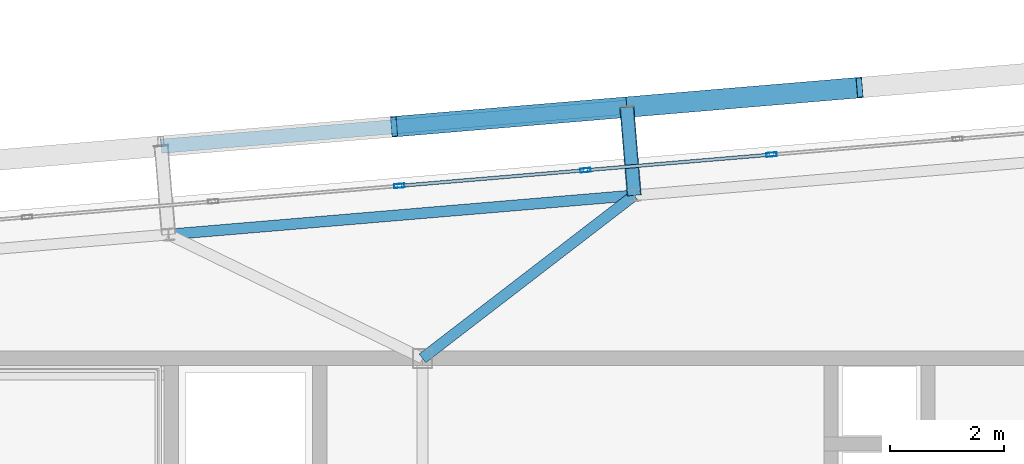
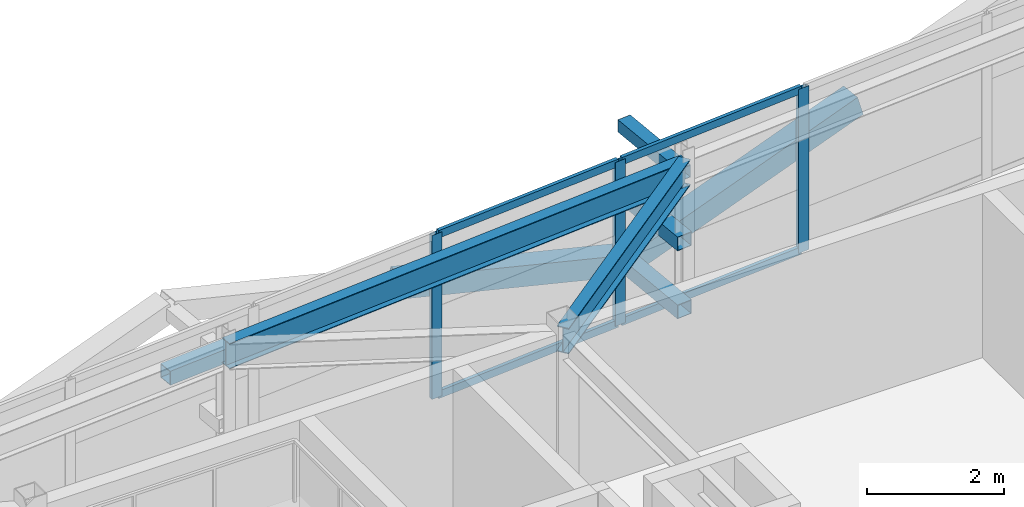
# One storey, part 28 of 46: 13 members, 2 beams, 1 element without a shape of its own.
"""IFC4 building model written with IfcOpenShell, lengths in metres."""

from ifc_helpers import new_model, si_unit, direction, frame, origin, origin_2d, place, context, subcontext, project, spatial, hollow_rectangle, i_section, extrude, source, transform, mapped, material, layer, layer_set, material_profile, profile_set, type_object, element, aggregate, save


model = new_model("IFC4")

# Units and contexts
model_context = context("Model", 3, precision=1e-05, world=origin(), true_north=direction((0.0, 1.0)))
body_context = subcontext(model_context, "Body", "Model", "MODEL_VIEW")
ifc_project = project(units=[si_unit("LENGTHUNIT", "METRE"), si_unit("AREAUNIT", "SQUARE_METRE"), si_unit("VOLUMEUNIT", "CUBIC_METRE"), si_unit("PLANEANGLEUNIT", "RADIAN"), si_unit("MASSUNIT", "GRAM", prefix="KILO")], contexts=[model_context])

# Site, building, storey
site_placement = place(None, origin())
site = spatial("IfcSite", under=ifc_project, at=site_placement, CompositionType="ELEMENT")
building_placement = place(site_placement, origin())
building = spatial("IfcBuilding", under=site, at=building_placement, Name="Taldren Reach Tower", CompositionType="ELEMENT")
storey_placement = place(building_placement, frame((0.0, 0.0, 185.14990234375)))
storey = spatial("IfcBuildingStorey", under=building, at=storey_placement, Name="L56", CompositionType="ELEMENT", Elevation=185.14990234375)

# Members
ifc_material_1 = material(Name="Steel Gr 350 (C350L0)", Category="steel")
ifc_material_profile_1 = material_profile(ifc_material_1, hollow_rectangle(XDim=0.25, YDim=0.25, WallThickness=0.010009765625, at=origin_2d()), Name="250x250x10.0SHS")
ifc_profile_set_1 = profile_set([ifc_material_profile_1], Name="Steel Gr 350 (C350L0)")
member_type_1 = type_object("IfcMemberType", Name="MB-POST250", PredefinedType="POST", material=ifc_profile_set_1)
shared_shape_1 = source(origin(), body_context, "Body", "SweptSolid", [
    extrude(hollow_rectangle(XDim=0.25, YDim=0.25, WallThickness=0.010009765625, at=origin_2d()), origin(), (0.0, 0.0, 1.0), 1.5498046875),
])
for number, where, z_axis, x_axis, name in (
    (1, (31.706298828125, 34.8525390625, 0.22021484375), (-0.083645141657, 0.996495604746, 0.0), (-0.996495604746, -0.083645141657, 0.0), "Exoskeleton base diaphragm tie strut B4-N3 L56"),
    (2, (31.706298828125, 34.8525390625, 1.43505859375), (-0.083645141657, 0.996495604746, 0.0), (-0.996495604746, -0.083645141657, 0.0), "Exoskeleton mid-tier diaphragm tie B4-N3 L56"),
):
    element("IfcMember", number, at=place(storey_placement, frame(where, z_axis=z_axis, x_axis=x_axis)), inside=storey, type_object=member_type_1, Name=name, PredefinedType="POST", context=body_context, shape_type="MappedRepresentation", body=[
        mapped(shared_shape_1, transform((0.0, 0.0, 0.0), scale=1.0)),
    ])

# Beams
ifc_material_2 = material(Name="Steel Gr 350 (350PLUS)", Category="steel")
ifc_material_profile_2 = material_profile(ifc_material_2, i_section(OverallWidth=0.18994140625, OverallDepth=0.4541015625, WebThickness=0.008544921875, FlangeThickness=0.0126953125, at=origin_2d()), Name="460UB67.1")
ifc_profile_set_2 = profile_set([ifc_material_profile_2], Name="Steel Gr 350 (350PLUS)")
beam_type_1 = type_object("IfcBeamType", Name="SP-UB460B", PredefinedType="SPANDREL", material=ifc_profile_set_2)
shared_shape_2 = source(origin(), body_context, "Body", "SweptSolid", [
    extrude(i_section(OverallWidth=0.18994140625, OverallDepth=0.4541015625, WebThickness=0.008544921875, FlangeThickness=0.0126953125, at=origin_2d()), origin(), (0.0, 0.0, 1.0), 8.179931640625),
])
beam_1_placement = place(storey_placement, frame((31.706298828125, 34.8525390625, 2.703125), z_axis=(-0.99649182565, -0.08369015123, 0.0), x_axis=(0.08369015123, -0.99649182565, 0.0)))
element("IfcBeam", 3, at=beam_1_placement, inside=storey, type_object=beam_type_1, Name="Perimeter spandrel B4 N3-N2 L56", PredefinedType="SPANDREL", context=body_context, shape_type="MappedRepresentation", body=[
    mapped(shared_shape_2, transform((0.0, 0.0, 0.0), scale=1.0)),
])
ifc_material_profile_3 = material_profile(ifc_material_2, i_section(OverallWidth=0.19091796875, OverallDepth=0.4599609375, WebThickness=0.010009765625, FlangeThickness=0.01611328125, at=origin_2d()), Name="460UB82.1")
ifc_profile_set_3 = profile_set([ifc_material_profile_3], Name="Steel Gr 350 (350PLUS)")
beam_type_2 = type_object("IfcBeamType", Name="BM-UB460A", PredefinedType="BEAM", material=ifc_profile_set_3)
shared_shape_3 = source(origin(), body_context, "Body", "SweptSolid", [
    extrude(i_section(OverallWidth=0.19091796875, OverallDepth=0.4599609375, WebThickness=0.010009765625, FlangeThickness=0.01611328125, at=origin_2d()), origin(), (0.0, 0.0, 1.0), 4.677001953125),
])
beam_2_placement = place(storey_placement, frame((28.0, 32.0, 2.7001953125), z_axis=(0.792464836093, 0.609917603907, 0.0), x_axis=(-0.609917603907, 0.792464836093, 0.0)))
element("IfcBeam", 4, at=beam_2_placement, inside=storey, type_object=beam_type_2, Name="Primary floor girder B4-N3 L56", PredefinedType="BEAM", context=body_context, shape_type="MappedRepresentation", body=[
    mapped(shared_shape_3, transform((0.0, 0.0, 0.0), scale=1.0)),
])

# Members
ifc_material_3 = material(Name="Steel Gr 450 (C450L0)", Category="steel")
ifc_material_profile_4 = material_profile(ifc_material_3, hollow_rectangle(XDim=0.219970703125, YDim=0.219970703125, WallThickness=0.00830078125, at=origin_2d()), Name="220x220x8.2SHS")
ifc_profile_set_4 = profile_set([ifc_material_profile_4], Name="Steel Gr 450 (C450L0)")
member_type_2 = type_object("IfcMemberType", Name="MB-TIE219", PredefinedType="STRUT", material=ifc_profile_set_4)
shared_shape_4 = source(origin(), body_context, "Body", "SweptSolid", [
    extrude(hollow_rectangle(XDim=0.219970703125, YDim=0.219970703125, WallThickness=0.00830078125, at=origin_2d()), origin(), (0.0, 0.0, 1.0), 1.5498046875),
])
member_1_placement = place(storey_placement, frame((31.706298828125, 34.8525390625, 2.650146484375), z_axis=(-0.083645141657, 0.996495604746, 0.0), x_axis=(-0.996495604746, -0.083645141657, 0.0)))
element("IfcMember", 5, at=member_1_placement, inside=storey, type_object=member_type_2, Name="Exoskeleton diaphragm tie strut B4-N3 L56", PredefinedType="STRUT", context=body_context, shape_type="MappedRepresentation", body=[
    mapped(shared_shape_4, transform((0.0, 0.0, 0.0), scale=1.0)),
])
shared_shape_5 = source(origin(), body_context, "Body", "SweptSolid", [
    extrude(hollow_rectangle(XDim=0.25, YDim=0.25, WallThickness=0.010009765625, at=origin_2d()), origin(), (0.0, 0.0, 1.0), 8.179931640625),
])
member_2_placement = place(storey_placement, frame((23.42529296875, 35.712646484375, 1.43505859375), z_axis=(0.996494523218, 0.083658025296, 0.0), x_axis=(-0.083658025296, 0.996494523218, 0.0)))
element("IfcMember", 6, at=member_2_placement, inside=storey, type_object=member_type_1, Name="Exoskeleton mid-height ring chord B4-N2 L56", PredefinedType="POST", context=body_context, shape_type="MappedRepresentation", body=[
    mapped(shared_shape_5, transform((0.0, 0.0, 0.0), scale=1.0)),
])
ifc_material_profile_5 = material_profile(ifc_material_3, hollow_rectangle(XDim=0.360107421875, YDim=0.360107421875, WallThickness=0.0126953125, at=origin_2d()), Name="360x360x12.7SHS")
ifc_profile_set_5 = profile_set([ifc_material_profile_5], Name="Steel Gr 450 (C450L0)")
member_type_3 = type_object("IfcMemberType", Name="MB-EXO356", PredefinedType="BRACE", material=ifc_profile_set_5)
shared_shape_6 = source(origin(), body_context, "Body", "SweptSolid", [
    extrude(hollow_rectangle(XDim=0.360107421875, YDim=0.360107421875, WallThickness=0.0126953125, at=origin_2d()), origin(), (0.0, 0.0, 1.0), 4.2666015625),
])
for number, where, z_axis, x_axis, name in (
    (7, (31.57666015625, 36.39697265625, 0.22021484375), (-0.955249107127, -0.080166766448, 0.284732212595), (0.083628388178, -0.996497010879, 0.0), "Exoskeleton Diagrid Brace B4-N2 L56"),
    (8, (31.57666015625, 36.39697265625, 0.22021484375), (0.955244723646, 0.080223619417, 0.284730906006), (-0.083687662192, 0.996492034688, 0.0), "Exoskeleton Diagrid Brace B4-N3 L56"),
):
    element("IfcMember", number, at=place(storey_placement, frame(where, z_axis=z_axis, x_axis=x_axis)), inside=storey, type_object=member_type_3, Name=name, PredefinedType="BRACE", context=body_context, shape_type="MappedRepresentation", body=[
        mapped(shared_shape_6, transform((0.0, 0.0, 0.0), scale=1.0)),
    ])

# Curtain wall, members
ifc_material_4 = material(Name="Aluminium and Low-E Glass Unitised System", Category="aluminium")
ifc_layer = layer(ifc_material_4, 0.159912109375)
ifc_layer_set = layer_set([ifc_layer], Name="Aluminium and Low-E Glass Unitised System")
curtain_wall_type = type_object("IfcCurtainWallType", Name="CW-SYS-5", PredefinedType="NOTDEFINED", material=ifc_layer_set)
curtain_wall_placement = place(storey_placement, origin())
curtain_wall = element("IfcCurtainWall", 9, at=curtain_wall_placement, inside=storey, type_object=curtain_wall_type, Name="Unitised curtain wall CW-L56-N", PredefinedType="NOTDEFINED")
ifc_material_5 = material(Name="Anodised Aluminium 6063-T6", Category="aluminium")
ifc_material_profile_6 = material_profile(ifc_material_5, hollow_rectangle(XDim=0.070068359375, YDim=0.179931640625, WallThickness=0.00390625, at=origin_2d()), Name="ALU-180x70x4RHS")
ifc_profile_set_6 = profile_set([ifc_material_profile_6], Name="Anodised Aluminium 6063-T6")
member_type_4 = type_object("IfcMemberType", Name="CW-MUL-180", PredefinedType="MULLION", material=ifc_profile_set_6)
shared_shape_7 = source(origin(), body_context, "Body", "SweptSolid", [
    extrude(hollow_rectangle(XDim=0.070068359375, YDim=0.179931640625, WallThickness=0.00390625, at=origin_2d()), origin(), (0.0, 0.0, 1.0), 2.93017578125),
])
member_3_placement = place(storey_placement, frame((34.110595703125, 35.566162109375, 0.0), z_axis=(0.0, 0.0, 1.0), x_axis=(0.083677875247, -0.99649285657, 0.0)))
member_3 = element("IfcMember", 10, at=member_3_placement, type_object=member_type_4, Name="CW-5 mullion 8", PredefinedType="MULLION", context=body_context, shape_type="MappedRepresentation", body=[
    mapped(shared_shape_7, transform((0.0, 0.0, 0.0), scale=1.0)),
])
member_4_placement = place(storey_placement, frame((30.852783203125, 35.292724609375, 0.0), z_axis=(0.0, 0.0, 1.0), x_axis=(0.083677875247, -0.99649285657, 0.0)))
member_4 = element("IfcMember", 11, at=member_4_placement, type_object=member_type_4, Name="CW-5 mullion 9", PredefinedType="MULLION", context=body_context, shape_type="MappedRepresentation", body=[
    mapped(shared_shape_7, transform((0.0, 0.0, 0.0), scale=1.0)),
])
member_5_placement = place(storey_placement, frame((27.594970703125, 35.01904296875, 0.0), z_axis=(0.0, 0.0, 1.0), x_axis=(0.083677875247, -0.99649285657, 0.0)))
member_5 = element("IfcMember", 12, at=member_5_placement, type_object=member_type_4, Name="CW-5 mullion 10", PredefinedType="MULLION", context=body_context, shape_type="MappedRepresentation", body=[
    mapped(shared_shape_7, transform((0.0, 0.0, 0.0), scale=1.0)),
])
ifc_material_profile_7 = material_profile(ifc_material_5, hollow_rectangle(XDim=0.06005859375, YDim=0.135009765625, WallThickness=0.00341796875, at=origin_2d()), Name="ALU-135x60x3.5RHS")
ifc_profile_set_7 = profile_set([ifc_material_profile_7], Name="Anodised Aluminium 6063-T6")
member_type_5 = type_object("IfcMemberType", Name="CW-TRN-150", PredefinedType="USERDEFINED", material=ifc_profile_set_7)
shared_shape_8 = source(origin(), body_context, "Body", "SweptSolid", [
    extrude(hollow_rectangle(XDim=0.06005859375, YDim=0.135009765625, WallThickness=0.00341796875, at=origin_2d()), origin(), (0.0, 0.0, 1.0), 3.19921875),
])
member_6_placement = place(storey_placement, frame((34.07568359375, 35.563232421875, 0.030029296875), z_axis=(-0.996496109493, -0.083639128198, 0.0), x_axis=(0.083639128198, -0.996496109493, 0.0)))
member_6 = element("IfcMember", 13, at=member_6_placement, type_object=member_type_5, Name="CW-5 transom 8.1", ObjectType="TRANSOM", PredefinedType="USERDEFINED", context=body_context, shape_type="MappedRepresentation", body=[
    mapped(shared_shape_8, transform((0.0, 0.0, 0.0), scale=1.0)),
])
member_7_placement = place(storey_placement, frame((34.07568359375, 35.563232421875, 2.900146484375), z_axis=(-0.996496109493, -0.083639128198, 0.0), x_axis=(0.083639128198, -0.996496109493, 0.0)))
member_7 = element("IfcMember", 14, at=member_7_placement, type_object=member_type_5, Name="CW-5 transom 8.2", ObjectType="TRANSOM", PredefinedType="USERDEFINED", context=body_context, shape_type="MappedRepresentation", body=[
    mapped(shared_shape_8, transform((0.0, 0.0, 0.0), scale=1.0)),
])
member_8_placement = place(storey_placement, frame((30.81787109375, 35.289794921875, 0.030029296875), z_axis=(-0.996489746258, -0.083714906697, 0.0), x_axis=(0.083714906697, -0.996489746258, 0.0)))
member_8 = element("IfcMember", 15, at=member_8_placement, type_object=member_type_5, Name="CW-5 transom 9.1", ObjectType="TRANSOM", PredefinedType="USERDEFINED", context=body_context, shape_type="MappedRepresentation", body=[
    mapped(shared_shape_8, transform((0.0, 0.0, 0.0), scale=1.0)),
])
member_9_placement = place(storey_placement, frame((30.81787109375, 35.289794921875, 2.900146484375), z_axis=(-0.996489746258, -0.083714906697, 0.0), x_axis=(0.083714906697, -0.996489746258, 0.0)))
member_9 = element("IfcMember", 16, at=member_9_placement, type_object=member_type_5, Name="CW-5 transom 9.2", ObjectType="TRANSOM", PredefinedType="USERDEFINED", context=body_context, shape_type="MappedRepresentation", body=[
    mapped(shared_shape_8, transform((0.0, 0.0, 0.0), scale=1.0)),
])
aggregate(curtain_wall, [member_3, member_4, member_5, member_6, member_7, member_8, member_9])

save(model, "model.ifc")
